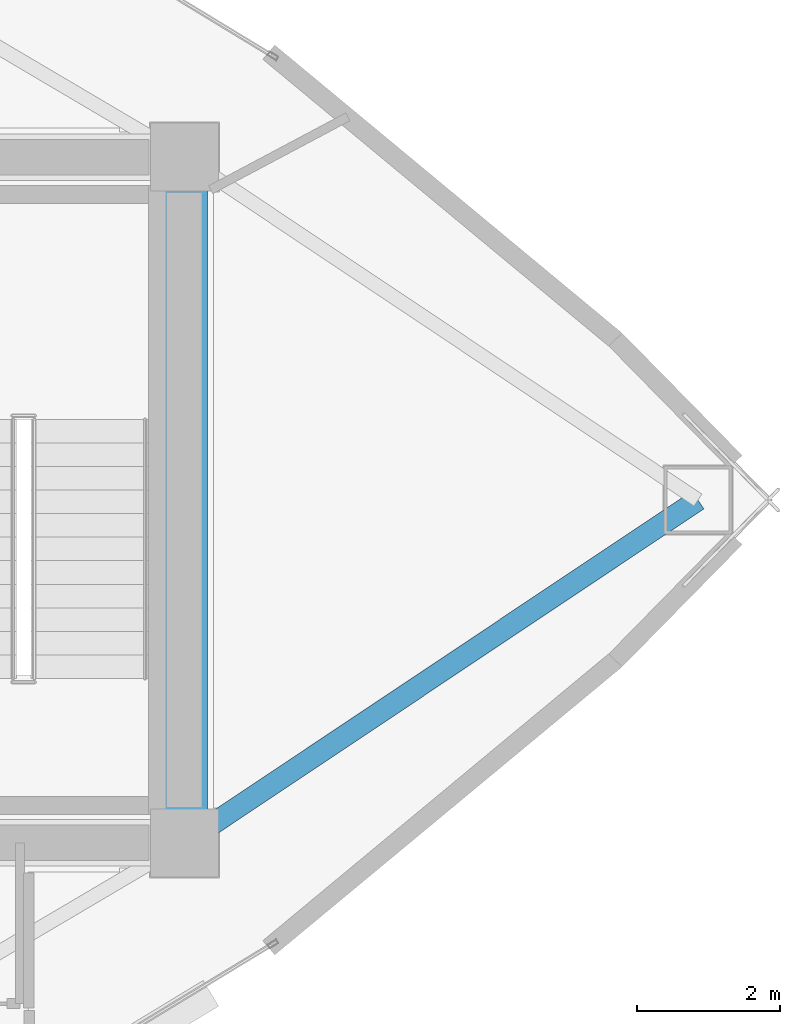
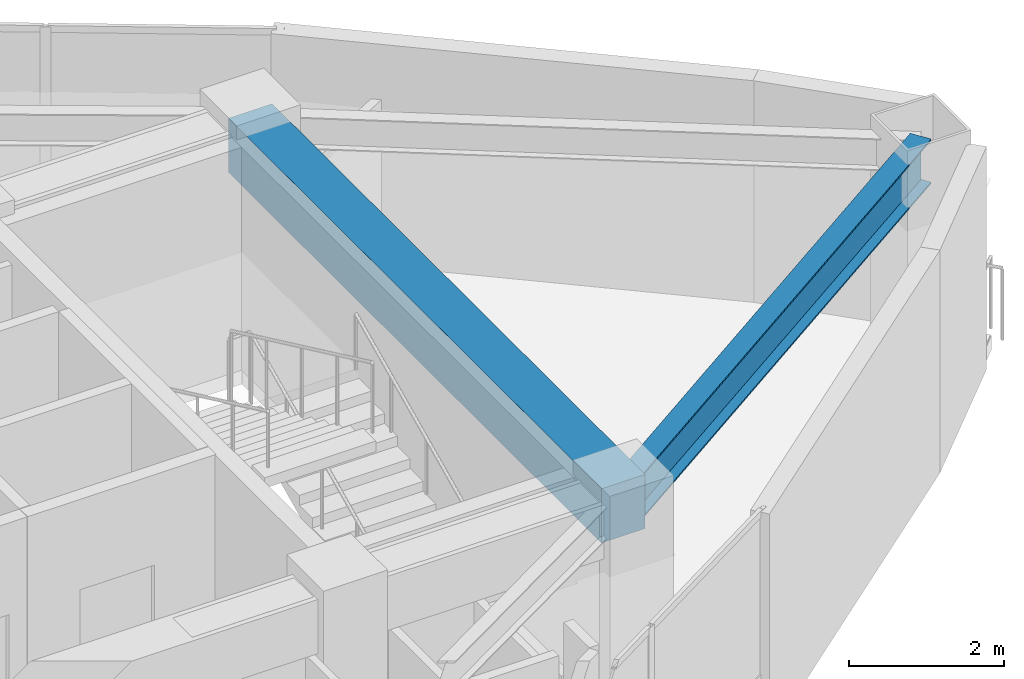
# One storey, part 6 of 15: 2 beams.
"""IFC4 building model written with IfcOpenShell, lengths in metres."""

import ifcopenshell
import ifcopenshell.guid

model = None  # the IFC model being written
_history = None  # IfcOwnerHistory: only IFC2X3 demands one
_inside = {}  # id of a spatial element -> (the spatial element, [elements in it])
_under = {}  # id of a project, library or spatial element -> (it, [spatial elements below it])
_declared = {}  # id of a project -> (the project, [libraries it declares])
_typed = {}  # id of a type object -> (the type object, [elements of that type])
_made_of = {}  # id of a material, layer set ... -> (it, [elements and type objects made of it])


def new_model(schema):
    """Start an empty IFC model of exactly this schema.

    Asked for "IFC4X3", IfcOpenShell would pick the latest addendum, in which some entities
    have other attributes; the version numbers below select the first issue.
    IFC2X3 requires an IfcOwnerHistory on every rooted entity: one is made here for all.
    """
    global model, _history
    if schema == "IFC4X3":
        model = ifcopenshell.file(schema_version=(4, 3, 0, 0))
    else:
        model = ifcopenshell.file(schema=schema)
    _inside.clear()
    _under.clear()
    _declared.clear()
    _typed.clear()
    _made_of.clear()
    _history = None
    if model.schema == "IFC2X3":
        org = make("IfcOrganization", Name="unknown")
        user = make(
            "IfcPersonAndOrganization",
            ThePerson=make("IfcPerson", FamilyName="unknown"),
            TheOrganization=org,
        )
        app = make(
            "IfcApplication",
            ApplicationDeveloper=org,
            Version="unknown",
            ApplicationFullName="unknown",
            ApplicationIdentifier="unknown",
        )
        _history = make(
            "IfcOwnerHistory",
            OwningUser=user,
            OwningApplication=app,
            ChangeAction="ADDED",
            CreationDate=0,
        )
    return model


def make(cls, **values):
    """One entity of the class cls with the attributes given. An attribute that is None is left unset."""
    return model.create_entity(
        cls, **{name: value for name, value in values.items() if value is not None}
    )


def rooted(cls, **values):
    """An entity with a GlobalId (a new one), such as an element, a storey or a relation."""
    return make(cls, GlobalId=ifcopenshell.guid.new(), OwnerHistory=_history, **values)


def si_unit(unit_type, name, prefix=None):
    """IfcSIUnit, for example si_unit("LENGTHUNIT", "METRE", prefix="MILLI")."""
    return make("IfcSIUnit", UnitType=unit_type, Prefix=prefix, Name=name)


def assignment(units):
    """IfcUnitAssignment: the units of a project."""
    return None if units is None else make("IfcUnitAssignment", Units=units)


def point(xyz):
    """IfcCartesianPoint."""
    return None if xyz is None else make("IfcCartesianPoint", Coordinates=xyz)


def direction(xyz):
    """IfcDirection."""
    return None if xyz is None else make("IfcDirection", DirectionRatios=xyz)


def frame(location, z_axis=None, x_axis=None):
    """IfcAxis2Placement3D, a coordinate frame: its origin and axes. An axis left out is left unset."""
    return make(
        "IfcAxis2Placement3D",
        Location=point(location),
        Axis=direction(z_axis),
        RefDirection=direction(x_axis),
    )


def frame_2d(location, x_axis=None):
    """IfcAxis2Placement2D, a coordinate frame in the plane: its origin and x axis."""
    return make(
        "IfcAxis2Placement2D", Location=point(location), RefDirection=direction(x_axis)
    )


def origin():
    """The frame at (0, 0, 0) with its axes left unset."""
    return frame((0.0, 0.0, 0.0))


def origin_2d():
    """The frame at (0, 0) in the plane with its x axis left unset."""
    return frame_2d((0.0, 0.0))


def place(relative_to, where):
    """IfcLocalPlacement: puts the frame where relative to a parent placement (None: the world)."""
    return make(
        "IfcLocalPlacement", PlacementRelTo=relative_to, RelativePlacement=where
    )


def context(
    kind, dimensions, precision=None, world=None, true_north=None, identifier=None
):
    """IfcGeometricRepresentationContext, for example the 3D "Model" context."""
    return make(
        "IfcGeometricRepresentationContext",
        ContextIdentifier=identifier,
        ContextType=kind,
        CoordinateSpaceDimension=dimensions,
        Precision=precision,
        WorldCoordinateSystem=world,
        TrueNorth=true_north,
    )


def subcontext(parent, identifier, kind, view, scale=None):
    """IfcGeometricRepresentationSubContext, for example "Body" below "Model"."""
    return make(
        "IfcGeometricRepresentationSubContext",
        ContextIdentifier=identifier,
        ContextType=kind,
        ParentContext=parent,
        TargetScale=scale,
        TargetView=view,
    )


def project(units=None, contexts=None):
    """IfcProject with its units and contexts."""
    return rooted(
        "IfcProject",
        Name="project",
        RepresentationContexts=contexts,
        UnitsInContext=assignment(units),
    )


def spatial(cls, under=None, at=None, **own):
    """A site, building, storey or space (cls), placed at a placement, below another one or the project."""
    s = rooted(cls, ObjectPlacement=at, **own)
    if under is not None:
        _under.setdefault(under.id(), (under, []))[1].append(s)
    return s


def profile(cls, at=None, kind="AREA", **sizes):
    """A parametric profile (cls). Its sizes go by their IFC names, for example OverallWidth=200.0."""
    return make(cls, ProfileType=kind, Position=at, **sizes)


def rectangle(**sizes):
    """IfcRectangleProfileDef."""
    return profile("IfcRectangleProfileDef", **sizes)


def i_section(**sizes):
    """IfcIShapeProfileDef."""
    return profile("IfcIShapeProfileDef", **sizes)


def extrude(swept, where, along, depth):
    """IfcExtrudedAreaSolid: the profile swept, set in the frame where, extruded along a direction by depth."""
    return make(
        "IfcExtrudedAreaSolid",
        SweptArea=swept,
        Position=where,
        ExtrudedDirection=direction(along),
        Depth=depth,
    )


def shape(context_of_items, identifier, shape_type, items):
    """IfcShapeRepresentation: the items that make up one representation, for example the "Body"."""
    return make(
        "IfcShapeRepresentation",
        ContextOfItems=context_of_items,
        RepresentationIdentifier=identifier,
        RepresentationType=shape_type,
        Items=items,
    )


def material(Name=None, Category=None):
    """IfcMaterial."""
    return make("IfcMaterial", Name=Name, Category=Category)


def material_profile(
    of_material, cross_section, Name=None, Category=None, Priority=None
):
    """IfcMaterialProfile: a cross section and its material."""
    return make(
        "IfcMaterialProfile",
        Name=Name,
        Material=of_material,
        Profile=cross_section,
        Priority=Priority,
        Category=Category,
    )


def profile_set(profiles, Name=None, composite=None):
    """IfcMaterialProfileSet."""
    return make(
        "IfcMaterialProfileSet",
        Name=Name,
        MaterialProfiles=profiles,
        CompositeProfile=composite,
    )


def made_of(thing, what):
    """Note that an element or type object is made of a material, layer set ...; save() writes the relation."""
    if what is not None:
        _made_of.setdefault(what.id(), (what, []))[1].append(thing)
    return thing


def type_object(cls, material=None, **own):
    """A type object (cls), such as IfcWallType, which elements share."""
    return made_of(rooted(cls, **own), material)


def element(
    cls,
    number,
    at=None,
    inside=None,
    cuts=None,
    type_object=None,
    material=None,
    context=None,
    identifier="Body",
    shape_type=None,
    held_by="IfcProductDefinitionShape",
    body=None,
    shapes=None,
    **own,
):
    """One element of the class cls, such as IfcWall. Its Tag is "e" and its number.

    at: its placement. inside: the storey or other place that contains it. cuts: it is an
    opening in that element (IfcRelVoidsElement). A single representation is given by context,
    identifier, shape_type and body (its items); several are given by shapes. held_by: the class
    of the entity that holds the representations. save() writes the other relations.
    """
    e = rooted(cls, Tag="e%d" % number, ObjectPlacement=at, **own)
    if body is not None:
        shapes = [shape(context, identifier, shape_type, body)]
    if shapes is not None:
        e.Representation = make(held_by, Representations=shapes)
    if inside is not None:
        _inside.setdefault(inside.id(), (inside, []))[1].append(e)
    if cuts is not None:
        rooted(
            "IfcRelVoidsElement", RelatingBuildingElement=cuts, RelatedOpeningElement=e
        )
    if type_object is not None:
        _typed.setdefault(type_object.id(), (type_object, []))[1].append(e)
    return made_of(e, material)


def aggregate(whole, parts):
    """IfcRelAggregates: a whole, such as a stair, and the parts it consists of."""
    return rooted("IfcRelAggregates", RelatingObject=whole, RelatedObjects=parts)


def save(model, path):
    """Write the relations noted so far, then the file.

    IfcRelAggregates (storeys below a building ...), IfcRelContainedInSpatialStructure (elements
    in a storey), IfcRelDefinesByType, IfcRelAssociatesMaterial and IfcRelDeclares: one each for
    every whole, place, type object, material and project.
    """
    for whole, parts in _under.values():
        aggregate(whole, parts)
    for where, things in _inside.values():
        rooted(
            "IfcRelContainedInSpatialStructure",
            RelatedElements=things,
            RelatingStructure=where,
        )
    for kind, things in _typed.values():
        rooted("IfcRelDefinesByType", RelatedObjects=things, RelatingType=kind)
    for what, things in _made_of.values():
        rooted("IfcRelAssociatesMaterial", RelatedObjects=things, RelatingMaterial=what)
    for by, libraries in _declared.values():
        rooted("IfcRelDeclares", RelatingContext=by, RelatedDefinitions=libraries)
    model.write(path)


model = new_model("IFC4")

# Units and contexts
model_context = context("Model", 3, precision=1e-05, world=origin(), true_north=direction((0.0, 1.0)))
body_context = subcontext(model_context, "Body", "Model", "MODEL_VIEW")
ifc_project = project(units=[si_unit("LENGTHUNIT", "METRE"), si_unit("AREAUNIT", "SQUARE_METRE"), si_unit("VOLUMEUNIT", "CUBIC_METRE"), si_unit("PLANEANGLEUNIT", "RADIAN"), si_unit("MASSUNIT", "GRAM", prefix="KILO")], contexts=[model_context])

# Site, building, storey
site_placement = place(None, origin())
site = spatial("IfcSite", under=ifc_project, at=site_placement, CompositionType="ELEMENT")
building_placement = place(site_placement, origin())
building = spatial("IfcBuilding", under=site, at=building_placement, Name="Menara Vayukalpa", CompositionType="ELEMENT")
storey_placement = place(building_placement, frame((0.0, 0.0, 226.97998046875)))
storey = spatial("IfcBuildingStorey", under=building, at=storey_placement, Name="L57", CompositionType="ELEMENT", Elevation=226.97998046875)

# Beams
ifc_material_1 = material(Name="Concrete C60/75", Category="concrete")
ifc_material_profile_1 = material_profile(ifc_material_1, rectangle(XDim=0.64990234375, YDim=0.85009765625, at=origin_2d()), Name="RC 650x850")
ifc_profile_set_1 = profile_set([ifc_material_profile_1], Name="Concrete C60/75")
beam_type_1 = type_object("IfcBeamType", Name="BM-CB1", PredefinedType="BEAM", material=ifc_profile_set_1)
beam_1_placement = place(storey_placement, frame((33.39990234375, 17.199951171875, 3.074951171875), z_axis=(0.0, 1.0, 0.0), x_axis=(-1.0, 0.0, 0.0)))
element("IfcBeam", 1, at=beam_1_placement, inside=storey, type_object=beam_type_1, Name="L57 Core Tie Beam CBR8", PredefinedType="BEAM", context=body_context, shape_type="SweptSolid", body=[
    extrude(rectangle(XDim=0.64990234375, YDim=0.85009765625, at=origin_2d()), origin(), (0.0, 0.0, 1.0), 9.60009765625),
])
ifc_material_2 = material(Name="Steel S355", Category="steel")
ifc_material_profile_2 = material_profile(ifc_material_2, i_section(OverallWidth=0.300048828125, OverallDepth=0.699951171875, WebThickness=0.012939453125, FlangeThickness=0.02392578125, at=origin_2d()), Name="WF 700x300x13x24")
ifc_profile_set_2 = profile_set([ifc_material_profile_2], Name="Steel S355")
beam_type_2 = type_object("IfcBeamType", Name="BM-PG5", PredefinedType="BEAM", material=ifc_profile_set_2)
beam_2_placement = place(storey_placement, frame((33.60791015625, 17.3388671875, 3.14990234375), z_axis=(0.831719080732, 0.555196695547, 0.0), x_axis=(-0.555196695547, 0.831719080732, 0.0)))
element("IfcBeam", 2, at=beam_2_placement, inside=storey, type_object=beam_type_2, Name="L57 Primary Radial Girder RG01", PredefinedType="BEAM", context=body_context, shape_type="SweptSolid", body=[
    extrude(i_section(OverallWidth=0.300048828125, OverallDepth=0.699951171875, WebThickness=0.012939453125, FlangeThickness=0.02392578125, at=origin_2d()), origin(), (0.0, 0.0, 1.0), 8.3955078125),
])

save(model, "model.ifc")
